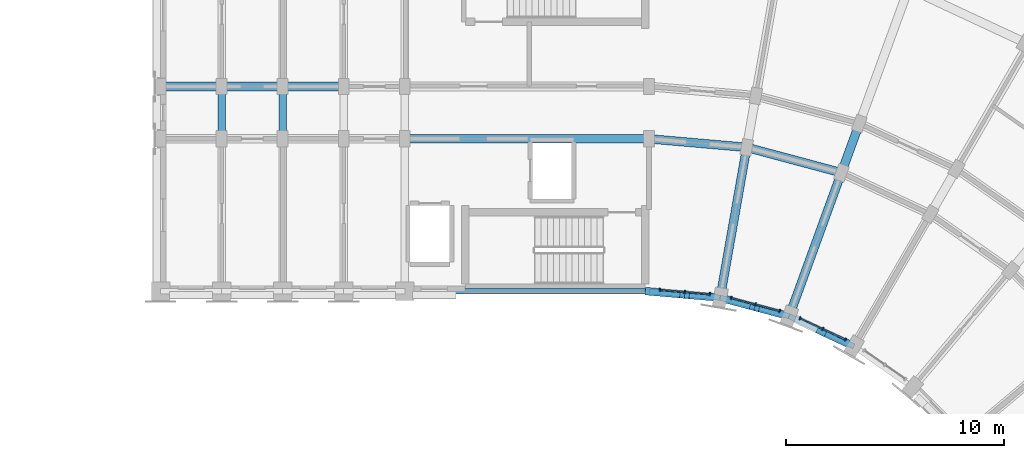
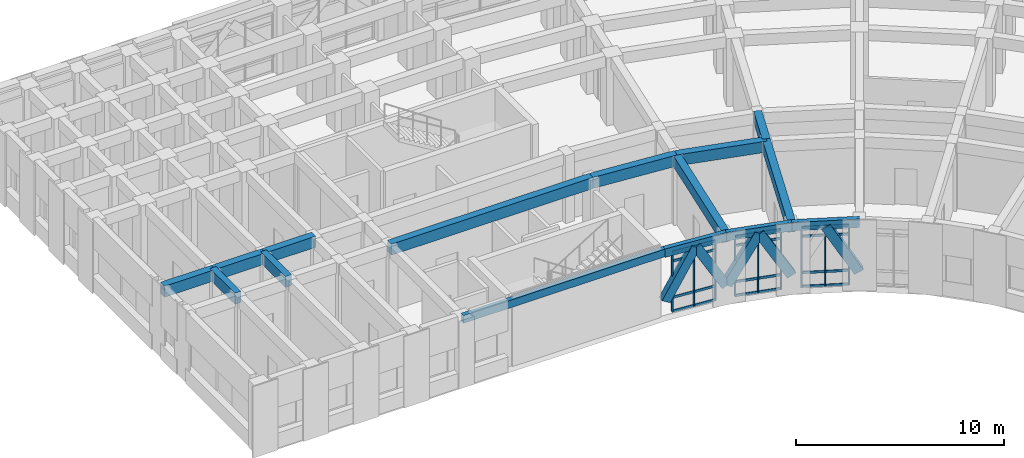
# One storey, part 29 of 97: 21 members, 20 beams, 3 elements without a shape of their own.
"""IFC4 building model written with IfcOpenShell, lengths in metres."""

from ifc_helpers import new_model, si_unit, direction, frame, origin, origin_2d, place, context, subcontext, project, spatial, rectangle, extrude, material, material_profile, profile_set, type_object, element, aggregate, save


model = new_model("IFC4")

# Units and contexts
model_context = context("Model", 3, precision=1e-05, world=origin(), true_north=direction((0.0, 1.0)))
body_context = subcontext(model_context, "Body", "Model", "MODEL_VIEW")
ifc_project = project(units=[si_unit("LENGTHUNIT", "METRE"), si_unit("AREAUNIT", "SQUARE_METRE"), si_unit("VOLUMEUNIT", "CUBIC_METRE"), si_unit("PLANEANGLEUNIT", "RADIAN"), si_unit("MASSUNIT", "GRAM", prefix="KILO")], contexts=[model_context])

# Site, building, storey
site_placement = place(None, origin())
site = spatial("IfcSite", under=ifc_project, at=site_placement, CompositionType="ELEMENT")
building_placement = place(site_placement, origin())
building = spatial("IfcBuilding", under=site, at=building_placement, Name="Kiranvali Square Residences", CompositionType="ELEMENT")
storey_placement = place(building_placement, frame((0.0, 0.0, 4.5)))
storey = spatial("IfcBuildingStorey", under=building, at=storey_placement, Name="L01", CompositionType="ELEMENT", Elevation=4.5)

# Beams
ifc_material_1 = material(Name="Concrete M40 (40 MPa)", Category="concrete")
ifc_material_profile_1 = material_profile(ifc_material_1, rectangle(XDim=0.35009765625, YDim=0.5, at=origin_2d()), Name="RC 350x500")
ifc_profile_set_1 = profile_set([ifc_material_profile_1], Name="Concrete M40 (40 MPa)")
beam_type_1 = type_object("IfcBeamType", Name="AR-M40-350x500", PredefinedType="USERDEFINED", material=ifc_profile_set_1)
beam_1_placement = place(storey_placement, frame((119.83984375, 106.596435546875, 0.89990234375), z_axis=(0.500656395973, -0.043748910885, 0.864539881074), x_axis=(0.087051384176, 0.996203822776, 0.0)))
element("IfcBeam", 1, at=beam_1_placement, inside=storey, type_object=beam_type_1, Name="Classical pointed Ottoman arch rib ARCH-B-CRV-0-00.1", ObjectType="ARCH RIB", PredefinedType="USERDEFINED", context=body_context, shape_type="SweptSolid", body=[
    extrude(rectangle(XDim=0.35009765625, YDim=0.5, at=origin_2d()), origin(), (0.0, 0.0, 1.0), 3.180908203125),
])
for number, where, z_axis, x_axis, name in (
    (2, (121.432373046875, 106.457275390625, 3.64990234375), (0.50059719619, -0.043827200096, -0.864570195935), (0.087216214448, 0.996189405654, 0.0), "Classical pointed Ottoman arch rib ARCH-B-CRV-0-00.2"),
    (3, (123.103271484375, 106.303955078125, 0.89990234375), (0.485399548819, -0.130023218801, 0.864569974368), (0.258746265032, 0.965945324712, 0.0), "Classical pointed Ottoman arch rib ARCH-B-CRV-0-01.1"),
):
    element("IfcBeam", number, at=place(storey_placement, frame(where, z_axis=z_axis, x_axis=x_axis)), inside=storey, type_object=beam_type_1, Name=name, ObjectType="ARCH RIB", PredefinedType="USERDEFINED", context=body_context, shape_type="SweptSolid", body=[
        extrude(rectangle(XDim=0.35009765625, YDim=0.5, at=origin_2d()), origin(), (0.0, 0.0, 1.0), 3.1806640625),
    ])
for number, where, z_axis, x_axis, name in (
    (4, (124.647216796875, 105.890380859375, 3.64990234375), (0.485453370353, -0.130093828102, -0.864529132593), (0.258850584986, 0.965917374651, 0.0), "Classical pointed Ottoman arch rib ARCH-B-CRV-0-01.2"),
    (5, (127.715087890625, 104.773681640625, 3.64990234375), (0.455456947565, -0.212377717208, -0.864554610275), (0.422609524726, 0.906311861122, 0.0), "Classical pointed Ottoman arch rib ARCH-B-CRV-0-02.2"),
):
    element("IfcBeam", number, at=place(storey_placement, frame(where, z_axis=z_axis, x_axis=x_axis)), inside=storey, type_object=beam_type_1, Name=name, ObjectType="ARCH RIB", PredefinedType="USERDEFINED", context=body_context, shape_type="SweptSolid", body=[
        extrude(rectangle(XDim=0.35009765625, YDim=0.5, at=origin_2d()), origin(), (0.0, 0.0, 1.0), 3.180908203125),
    ])
ifc_material_profile_2 = material_profile(ifc_material_1, rectangle(XDim=0.35009765625, YDim=0.64990234375, at=origin_2d()), Name="RC 350x650")
ifc_profile_set_2 = profile_set([ifc_material_profile_2], Name="Concrete M40 (40 MPa)")
beam_type_2 = type_object("IfcBeamType", Name="BM-M40-350x650", PredefinedType="BEAM", material=ifc_profile_set_2)
for number, where, z_axis, x_axis, name in (
    (6, (103.0, 113.60009765625, 3.655029296875), (0.0, 1.0, 0.0), (-1.0, 0.0, 0.0), "L01 beam BM-B-L01-A1T3-12"),
    (7, (100.199951171875, 113.60009765625, 3.655029296875), (0.0, 1.0, 0.0), (-1.0, 0.0, 0.0), "L01 beam BM-B-L01-A1T4-12"),
):
    element("IfcBeam", number, at=place(storey_placement, frame(where, z_axis=z_axis, x_axis=x_axis)), inside=storey, type_object=beam_type_2, Name=name, PredefinedType="BEAM", context=body_context, shape_type="SweptSolid", body=[
        extrude(rectangle(XDim=0.35009765625, YDim=0.64990234375, at=origin_2d()), origin(), (0.0, 0.0, 1.0), 2.39990234375),
    ])
ifc_material_2 = material(Name="Concrete M45 (45 MPa)", Category="concrete")
ifc_material_profile_3 = material_profile(ifc_material_2, rectangle(XDim=0.39990234375, YDim=0.64990234375, at=origin_2d()), Name="RC 400x650")
ifc_profile_set_3 = profile_set([ifc_material_profile_3], Name="Concrete M45 (45 MPa)")
beam_type_3 = type_object("IfcBeamType", Name="BM-M45-400x650", PredefinedType="BEAM", material=ifc_profile_set_3)
beam_2_placement = place(storey_placement, frame((119.800048828125, 113.60009765625, 3.655029296875), z_axis=(0.996191949488, -0.087187153726, 0.0), x_axis=(0.087187153726, 0.996191949488, 0.0)))
element("IfcBeam", 8, at=beam_2_placement, inside=storey, type_object=beam_type_3, Name="L01 beam BM-B-L01-C00-R1", PredefinedType="BEAM", context=body_context, shape_type="SweptSolid", body=[
    extrude(rectangle(XDim=0.39990234375, YDim=0.64990234375, at=origin_2d()), origin(), (0.0, 0.0, 1.0), 4.4970703125),
])
beam_3_placement = place(storey_placement, frame((124.280029296875, 113.2080078125, 3.655029296875), z_axis=(0.965934240054, -0.258787642463, 0.0), x_axis=(0.258787642463, 0.965934240054, 0.0)))
element("IfcBeam", 9, at=beam_3_placement, inside=storey, type_object=beam_type_3, Name="L01 beam BM-B-L01-C01-R1", PredefinedType="BEAM", context=body_context, shape_type="SweptSolid", body=[
    extrude(rectangle(XDim=0.39990234375, YDim=0.64990234375, at=origin_2d()), origin(), (0.0, 0.0, 1.0), 4.497314453125),
])
beam_4_placement = place(storey_placement, frame((123.064697265625, 106.314453125, 3.655029296875), z_axis=(0.173622177865, 0.984812337125, 0.0), x_axis=(-0.984812337125, 0.173622177865, 0.0)))
element("IfcBeam", 10, at=beam_4_placement, inside=storey, type_object=beam_type_3, Name="L01 beam BM-B-L01-RAD01-01", PredefinedType="BEAM", context=body_context, shape_type="SweptSolid", body=[
    extrude(rectangle(XDim=0.39990234375, YDim=0.64990234375, at=origin_2d()), origin(), (0.0, 0.0, 1.0), 6.999755859375),
])
beam_5_placement = place(storey_placement, frame((126.22998046875, 105.46630859375, 3.655029296875), z_axis=(0.342006283793, 0.939697665127, 0.0), x_axis=(-0.939697665127, 0.342006283793, 0.0)))
element("IfcBeam", 11, at=beam_5_placement, inside=storey, type_object=beam_type_3, Name="L01 beam BM-B-L01-RAD02-01", PredefinedType="BEAM", context=body_context, shape_type="SweptSolid", body=[
    extrude(rectangle(XDim=0.39990234375, YDim=0.64990234375, at=origin_2d()), origin(), (0.0, 0.0, 1.0), 7.0),
])
beam_6_placement = place(storey_placement, frame((128.6240234375, 112.044189453125, 3.655029296875), z_axis=(0.342110593602, 0.939659694648, 0.0), x_axis=(-0.939659694648, 0.342110593602, 0.0)))
element("IfcBeam", 12, at=beam_6_placement, inside=storey, type_object=beam_type_3, Name="L01 beam BM-B-L01-RAD02-12", PredefinedType="BEAM", context=body_context, shape_type="SweptSolid", body=[
    extrude(rectangle(XDim=0.39990234375, YDim=0.64990234375, at=origin_2d()), origin(), (0.0, 0.0, 1.0), 2.39990234375),
])
beam_7_placement = place(storey_placement, frame((119.800048828125, 113.60009765625, 3.655029296875), z_axis=(-1.0, 0.0, 0.0), x_axis=(0.0, -1.0, 0.0)))
element("IfcBeam", 13, at=beam_7_placement, inside=storey, type_object=beam_type_3, Name="L01 beam BM-B-L01-A1U0-R1", PredefinedType="BEAM", context=body_context, shape_type="SweptSolid", body=[
    extrude(rectangle(XDim=0.39990234375, YDim=0.64990234375, at=origin_2d()), origin(), (0.0, 0.0, 1.0), 11.199951171875),
])
for number, where, z_axis, x_axis, name in (
    (14, (105.800048828125, 116.0, 3.655029296875), (-1.0, 0.0, 0.0), (0.0, -1.0, 0.0), "L01 beam BM-B-L01-A1U2-R2"),
    (15, (103.0, 116.0, 3.655029296875), (-1.0, 0.0, 0.0), (0.0, -1.0, 0.0), "L01 beam BM-B-L01-A1U3-R2"),
    (16, (100.199951171875, 116.0, 3.655029296875), (-1.0, 0.0, 0.0), (0.0, -1.0, 0.0), "L01 beam BM-B-L01-A1U4-R2"),
):
    element("IfcBeam", number, at=place(storey_placement, frame(where, z_axis=z_axis, x_axis=x_axis)), inside=storey, type_object=beam_type_3, Name=name, PredefinedType="BEAM", context=body_context, shape_type="SweptSolid", body=[
        extrude(rectangle(XDim=0.39990234375, YDim=0.64990234375, at=origin_2d()), origin(), (0.0, 0.0, 1.0), 2.800048828125),
    ])

# Curtain wall, members
ifc_material_3 = material(Name="Anodised bronze aluminium framing", Category="aluminium")
curtain_wall_type = type_object("IfcCurtainWallType", Name="CW-RET-SHOP", PredefinedType="USERDEFINED", material=ifc_material_3)
curtain_wall_1_placement = place(storey_placement, origin())
curtain_wall_1 = element("IfcCurtainWall", 17, at=curtain_wall_1_placement, inside=storey, type_object=curtain_wall_type, Name="Block B L01 garden foyer curtain wall 1", ObjectType="CURTAIN WALL", PredefinedType="USERDEFINED")
ifc_material_profile_4 = material_profile(ifc_material_3, rectangle(XDim=0.06494140625, YDim=0.159912109375, at=origin_2d()), Name="ALU 65x160")
ifc_profile_set_4 = profile_set([ifc_material_profile_4], Name="Anodised bronze aluminium framing")
member_type_1 = type_object("IfcMemberType", Name="CW-MUL-160", PredefinedType="MULLION", material=ifc_profile_set_4)
member_1_placement = place(storey_placement, frame((120.298583984375, 106.6767578125, 0.02001953125), z_axis=(0.0, 0.0, 1.0), x_axis=(0.996194698092, -0.087155742748, 0.0)))
member_1 = element("IfcMember", 18, at=member_1_placement, type_object=member_type_1, Name="CW-B-L01-GDN-00 vertical mullion 1", PredefinedType="MULLION", context=body_context, shape_type="SweptSolid", body=[
    extrude(rectangle(XDim=0.06494140625, YDim=0.159912109375, at=origin_2d()), origin(), (0.0, 0.0, 1.0), 3.489990234375),
])
member_2_placement = place(storey_placement, frame((121.44287109375, 106.57666015625, 0.02001953125), z_axis=(0.0, 0.0, 1.0), x_axis=(0.996194698092, -0.087155742748, 0.0)))
member_2 = element("IfcMember", 19, at=member_2_placement, type_object=member_type_1, Name="CW-B-L01-GDN-00 vertical mullion 2", PredefinedType="MULLION", context=body_context, shape_type="SweptSolid", body=[
    extrude(rectangle(XDim=0.06494140625, YDim=0.159912109375, at=origin_2d()), origin(), (0.0, 0.0, 1.0), 3.489990234375),
])
member_3_placement = place(storey_placement, frame((122.5869140625, 106.4765625, 0.02001953125), z_axis=(0.0, 0.0, 1.0), x_axis=(0.996194698092, -0.087155742748, 0.0)))
member_3 = element("IfcMember", 20, at=member_3_placement, type_object=member_type_1, Name="CW-B-L01-GDN-00 vertical mullion 3", PredefinedType="MULLION", context=body_context, shape_type="SweptSolid", body=[
    extrude(rectangle(XDim=0.06494140625, YDim=0.159912109375, at=origin_2d()), origin(), (0.0, 0.0, 1.0), 3.489990234375),
])

curtain_wall_2_placement = place(storey_placement, origin())
curtain_wall_2 = element("IfcCurtainWall", 21, at=curtain_wall_2_placement, inside=storey, type_object=curtain_wall_type, Name="Block B L01 garden foyer curtain wall 2", ObjectType="CURTAIN WALL", PredefinedType="USERDEFINED")
member_4_placement = place(storey_placement, frame((123.56884765625, 106.303466796875, 0.02001953125), z_axis=(0.0, 0.0, 1.0), x_axis=(0.965925826289, -0.258819045103, 0.0)))
member_4 = element("IfcMember", 22, at=member_4_placement, type_object=member_type_1, Name="CW-B-L01-GDN-01 vertical mullion 1", PredefinedType="MULLION", context=body_context, shape_type="SweptSolid", body=[
    extrude(rectangle(XDim=0.06494140625, YDim=0.159912109375, at=origin_2d()), origin(), (0.0, 0.0, 1.0), 3.489990234375),
])
member_5_placement = place(storey_placement, frame((124.67822265625, 106.006103515625, 0.02001953125), z_axis=(0.0, 0.0, 1.0), x_axis=(0.965925826289, -0.258819045103, 0.0)))
member_5 = element("IfcMember", 23, at=member_5_placement, type_object=member_type_1, Name="CW-B-L01-GDN-01 vertical mullion 2", PredefinedType="MULLION", context=body_context, shape_type="SweptSolid", body=[
    extrude(rectangle(XDim=0.06494140625, YDim=0.159912109375, at=origin_2d()), origin(), (0.0, 0.0, 1.0), 3.489990234375),
])
member_6_placement = place(storey_placement, frame((125.787841796875, 105.708984375, 0.02001953125), z_axis=(0.0, 0.0, 1.0), x_axis=(0.965925826289, -0.258819045103, 0.0)))
member_6 = element("IfcMember", 24, at=member_6_placement, type_object=member_type_1, Name="CW-B-L01-GDN-01 vertical mullion 3", PredefinedType="MULLION", context=body_context, shape_type="SweptSolid", body=[
    extrude(rectangle(XDim=0.06494140625, YDim=0.159912109375, at=origin_2d()), origin(), (0.0, 0.0, 1.0), 3.489990234375),
])

curtain_wall_3_placement = place(storey_placement, origin())
curtain_wall_3 = element("IfcCurtainWall", 25, at=curtain_wall_3_placement, inside=storey, type_object=curtain_wall_type, Name="Block B L01 garden foyer curtain wall 3", ObjectType="CURTAIN WALL", PredefinedType="USERDEFINED")
member_7_placement = place(storey_placement, frame((126.724853515625, 105.367919921875, 0.02001953125), z_axis=(0.0, 0.0, 1.0), x_axis=(0.906307787037, -0.422618261741, 0.0)))
member_7 = element("IfcMember", 26, at=member_7_placement, type_object=member_type_1, Name="CW-B-L01-GDN-02 vertical mullion 1", PredefinedType="MULLION", context=body_context, shape_type="SweptSolid", body=[
    extrude(rectangle(XDim=0.06494140625, YDim=0.159912109375, at=origin_2d()), origin(), (0.0, 0.0, 1.0), 3.489990234375),
])
member_8_placement = place(storey_placement, frame((127.765625, 104.882568359375, 0.02001953125), z_axis=(0.0, 0.0, 1.0), x_axis=(0.906307787037, -0.422618261741, 0.0)))
member_8 = element("IfcMember", 27, at=member_8_placement, type_object=member_type_1, Name="CW-B-L01-GDN-02 vertical mullion 2", PredefinedType="MULLION", context=body_context, shape_type="SweptSolid", body=[
    extrude(rectangle(XDim=0.06494140625, YDim=0.159912109375, at=origin_2d()), origin(), (0.0, 0.0, 1.0), 3.489990234375),
])
member_9_placement = place(storey_placement, frame((128.806640625, 104.397216796875, 0.02001953125), z_axis=(0.0, 0.0, 1.0), x_axis=(0.906307787037, -0.422618261741, 0.0)))
member_9 = element("IfcMember", 28, at=member_9_placement, type_object=member_type_1, Name="CW-B-L01-GDN-02 vertical mullion 3", PredefinedType="MULLION", context=body_context, shape_type="SweptSolid", body=[
    extrude(rectangle(XDim=0.06494140625, YDim=0.159912109375, at=origin_2d()), origin(), (0.0, 0.0, 1.0), 3.489990234375),
])

# Member
ifc_material_profile_5 = material_profile(ifc_material_3, rectangle(XDim=0.06494140625, YDim=0.139892578125, at=origin_2d()), Name="ALU 65x140")
ifc_profile_set_5 = profile_set([ifc_material_profile_5], Name="Anodised bronze aluminium framing")
member_type_2 = type_object("IfcMemberType", Name="CW-TRN-140", PredefinedType="MULLION", material=ifc_profile_set_5)
member_10_placement = place(storey_placement, frame((120.30859375, 106.676025390625, 0.0400390625), z_axis=(0.996193368341, -0.08717094053, 0.0), x_axis=(0.08717094053, 0.996193368341, 0.0)))
member_10 = element("IfcMember", 29, at=member_10_placement, type_object=member_type_2, Name="CW-B-L01-GDN-00 horizontal transom 1", PredefinedType="MULLION", context=body_context, shape_type="SweptSolid", body=[
    extrude(rectangle(XDim=0.06494140625, YDim=0.139892578125, at=origin_2d()), origin(), (0.0, 0.0, 1.0), 2.277099609375),
])

member_11_placement = place(storey_placement, frame((120.30859375, 106.676025390625, 0.85009765625), z_axis=(0.996193368341, -0.08717094053, 0.0), x_axis=(0.08717094053, 0.996193368341, 0.0)))
member_11 = element("IfcMember", 30, at=member_11_placement, type_object=member_type_2, Name="CW-B-L01-GDN-00 horizontal transom 2", PredefinedType="MULLION", context=body_context, shape_type="SweptSolid", body=[
    extrude(rectangle(XDim=0.06494140625, YDim=0.139892578125, at=origin_2d()), origin(), (0.0, 0.0, 1.0), 2.277099609375),
])

member_12_placement = place(storey_placement, frame((120.30859375, 106.676025390625, 2.97998046875), z_axis=(0.996193368341, -0.08717094053, 0.0), x_axis=(0.08717094053, 0.996193368341, 0.0)))
member_12 = element("IfcMember", 31, at=member_12_placement, type_object=member_type_2, Name="CW-B-L01-GDN-00 horizontal transom 3", PredefinedType="MULLION", context=body_context, shape_type="SweptSolid", body=[
    extrude(rectangle(XDim=0.06494140625, YDim=0.139892578125, at=origin_2d()), origin(), (0.0, 0.0, 1.0), 2.277099609375),
])

member_13_placement = place(storey_placement, frame((120.30859375, 106.676025390625, 3.489990234375), z_axis=(0.996193368341, -0.08717094053, 0.0), x_axis=(0.08717094053, 0.996193368341, 0.0)))
member_13 = element("IfcMember", 32, at=member_13_placement, type_object=member_type_2, Name="CW-B-L01-GDN-00 horizontal transom 4", PredefinedType="MULLION", context=body_context, shape_type="SweptSolid", body=[
    extrude(rectangle(XDim=0.06494140625, YDim=0.139892578125, at=origin_2d()), origin(), (0.0, 0.0, 1.0), 2.277099609375),
])

aggregate(curtain_wall_1, [member_1, member_2, member_3, member_10, member_11, member_12, member_13])

member_14_placement = place(storey_placement, frame((123.57861328125, 106.30078125, 0.0400390625), z_axis=(0.965924600635, -0.258823619262, 0.0), x_axis=(0.258823619262, 0.965924600635, 0.0)))
member_14 = element("IfcMember", 33, at=member_14_placement, type_object=member_type_2, Name="CW-B-L01-GDN-01 horizontal transom 1", PredefinedType="MULLION", context=body_context, shape_type="SweptSolid", body=[
    extrude(rectangle(XDim=0.06494140625, YDim=0.139892578125, at=origin_2d()), origin(), (0.0, 0.0, 1.0), 2.277099609375),
])

member_15_placement = place(storey_placement, frame((123.57861328125, 106.30078125, 0.85009765625), z_axis=(0.965924600635, -0.258823619262, 0.0), x_axis=(0.258823619262, 0.965924600635, 0.0)))
member_15 = element("IfcMember", 34, at=member_15_placement, type_object=member_type_2, Name="CW-B-L01-GDN-01 horizontal transom 2", PredefinedType="MULLION", context=body_context, shape_type="SweptSolid", body=[
    extrude(rectangle(XDim=0.06494140625, YDim=0.139892578125, at=origin_2d()), origin(), (0.0, 0.0, 1.0), 2.277099609375),
])

member_16_placement = place(storey_placement, frame((123.57861328125, 106.30078125, 2.97998046875), z_axis=(0.965924600635, -0.258823619262, 0.0), x_axis=(0.258823619262, 0.965924600635, 0.0)))
member_16 = element("IfcMember", 35, at=member_16_placement, type_object=member_type_2, Name="CW-B-L01-GDN-01 horizontal transom 3", PredefinedType="MULLION", context=body_context, shape_type="SweptSolid", body=[
    extrude(rectangle(XDim=0.06494140625, YDim=0.139892578125, at=origin_2d()), origin(), (0.0, 0.0, 1.0), 2.277099609375),
])

member_17_placement = place(storey_placement, frame((123.57861328125, 106.30078125, 3.489990234375), z_axis=(0.965924600635, -0.258823619262, 0.0), x_axis=(0.258823619262, 0.965924600635, 0.0)))
member_17 = element("IfcMember", 36, at=member_17_placement, type_object=member_type_2, Name="CW-B-L01-GDN-01 horizontal transom 4", PredefinedType="MULLION", context=body_context, shape_type="SweptSolid", body=[
    extrude(rectangle(XDim=0.06494140625, YDim=0.139892578125, at=origin_2d()), origin(), (0.0, 0.0, 1.0), 2.277099609375),
])

aggregate(curtain_wall_2, [member_4, member_5, member_6, member_14, member_15, member_16, member_17])

member_18_placement = place(storey_placement, frame((126.73388671875, 105.36376953125, 0.0400390625), z_axis=(0.906295410754, -0.42264480175, 0.0), x_axis=(0.42264480175, 0.906295410754, 0.0)))
member_18 = element("IfcMember", 37, at=member_18_placement, type_object=member_type_2, Name="CW-B-L01-GDN-02 horizontal transom 1", PredefinedType="MULLION", context=body_context, shape_type="SweptSolid", body=[
    extrude(rectangle(XDim=0.06494140625, YDim=0.139892578125, at=origin_2d()), origin(), (0.0, 0.0, 1.0), 2.277099609375),
])

member_19_placement = place(storey_placement, frame((126.73388671875, 105.36376953125, 0.85009765625), z_axis=(0.906295410754, -0.42264480175, 0.0), x_axis=(0.42264480175, 0.906295410754, 0.0)))
member_19 = element("IfcMember", 38, at=member_19_placement, type_object=member_type_2, Name="CW-B-L01-GDN-02 horizontal transom 2", PredefinedType="MULLION", context=body_context, shape_type="SweptSolid", body=[
    extrude(rectangle(XDim=0.06494140625, YDim=0.139892578125, at=origin_2d()), origin(), (0.0, 0.0, 1.0), 2.277099609375),
])

member_20_placement = place(storey_placement, frame((126.73388671875, 105.36376953125, 2.97998046875), z_axis=(0.906295410754, -0.42264480175, 0.0), x_axis=(0.42264480175, 0.906295410754, 0.0)))
member_20 = element("IfcMember", 39, at=member_20_placement, type_object=member_type_2, Name="CW-B-L01-GDN-02 horizontal transom 3", PredefinedType="MULLION", context=body_context, shape_type="SweptSolid", body=[
    extrude(rectangle(XDim=0.06494140625, YDim=0.139892578125, at=origin_2d()), origin(), (0.0, 0.0, 1.0), 2.277099609375),
])

member_21_placement = place(storey_placement, frame((126.73388671875, 105.36376953125, 3.489990234375), z_axis=(0.906295410754, -0.42264480175, 0.0), x_axis=(0.42264480175, 0.906295410754, 0.0)))
member_21 = element("IfcMember", 40, at=member_21_placement, type_object=member_type_2, Name="CW-B-L01-GDN-02 horizontal transom 4", PredefinedType="MULLION", context=body_context, shape_type="SweptSolid", body=[
    extrude(rectangle(XDim=0.06494140625, YDim=0.139892578125, at=origin_2d()), origin(), (0.0, 0.0, 1.0), 2.277099609375),
])

aggregate(curtain_wall_3, [member_7, member_8, member_9, member_18, member_19, member_20, member_21])

# Beams
ifc_material_profile_6 = material_profile(ifc_material_1, rectangle(XDim=0.25, YDim=0.449951171875, at=origin_2d()), Name="RC 250x450")
ifc_profile_set_6 = profile_set([ifc_material_profile_6], Name="Concrete M40 (40 MPa)")
beam_type_4 = type_object("IfcBeamType", Name="SPN-M40-250x450", PredefinedType="SPANDREL", material=ifc_profile_set_6)
beam_8_placement = place(storey_placement, frame((119.800048828125, 106.60009765625, 3.7548828125), z_axis=(-1.0, 0.0, 0.0), x_axis=(0.0, -1.0, 0.0)))
element("IfcBeam", 41, at=beam_8_placement, inside=storey, type_object=beam_type_4, Name="L01 beam BM-B-L01-A1U0-R0", PredefinedType="SPANDREL", context=body_context, shape_type="SweptSolid", body=[
    extrude(rectangle(XDim=0.25, YDim=0.449951171875, at=origin_2d()), origin(), (0.0, 0.0, 1.0), 11.199951171875),
])
ifc_material_profile_7 = material_profile(ifc_material_1, rectangle(XDim=0.25, YDim=0.5, at=origin_2d()), Name="RC 250x500")
ifc_profile_set_7 = profile_set([ifc_material_profile_7], Name="Concrete M40 (40 MPa)")
beam_type_5 = type_object("IfcBeamType", Name="SPN-M40-250x500", PredefinedType="SPANDREL", material=ifc_profile_set_7)
beam_9_placement = place(storey_placement, frame((119.800048828125, 106.60009765625, 3.72998046875), z_axis=(0.996194040944, -0.087163253657, 0.0), x_axis=(0.087163253657, 0.996194040944, 0.0)))
element("IfcBeam", 42, at=beam_9_placement, inside=storey, type_object=beam_type_5, Name="L01 beam BM-B-L01-C00-R0", PredefinedType="SPANDREL", context=body_context, shape_type="SweptSolid", body=[
    extrude(rectangle(XDim=0.25, YDim=0.5, at=origin_2d()), origin(), (0.0, 0.0, 1.0), 3.277099609375),
])
beam_10_placement = place(storey_placement, frame((123.064697265625, 106.314453125, 3.72998046875), z_axis=(0.965925105099, -0.258821736607, 0.0), x_axis=(0.258821736607, 0.965925105099, 0.0)))
element("IfcBeam", 43, at=beam_10_placement, inside=storey, type_object=beam_type_5, Name="L01 beam BM-B-L01-C01-R0", PredefinedType="SPANDREL", context=body_context, shape_type="SweptSolid", body=[
    extrude(rectangle(XDim=0.25, YDim=0.5, at=origin_2d()), origin(), (0.0, 0.0, 1.0), 3.27685546875),
])
beam_11_placement = place(storey_placement, frame((126.22998046875, 105.46630859375, 3.72998046875), z_axis=(0.90629730464, -0.422640740585, 0.0), x_axis=(0.422640740585, 0.90629730464, 0.0)))
element("IfcBeam", 44, at=beam_11_placement, inside=storey, type_object=beam_type_5, Name="L01 beam BM-B-L01-C02-R0", PredefinedType="SPANDREL", context=body_context, shape_type="SweptSolid", body=[
    extrude(rectangle(XDim=0.25, YDim=0.5, at=origin_2d()), origin(), (0.0, 0.0, 1.0), 3.277099609375),
])

save(model, "model.ifc")
